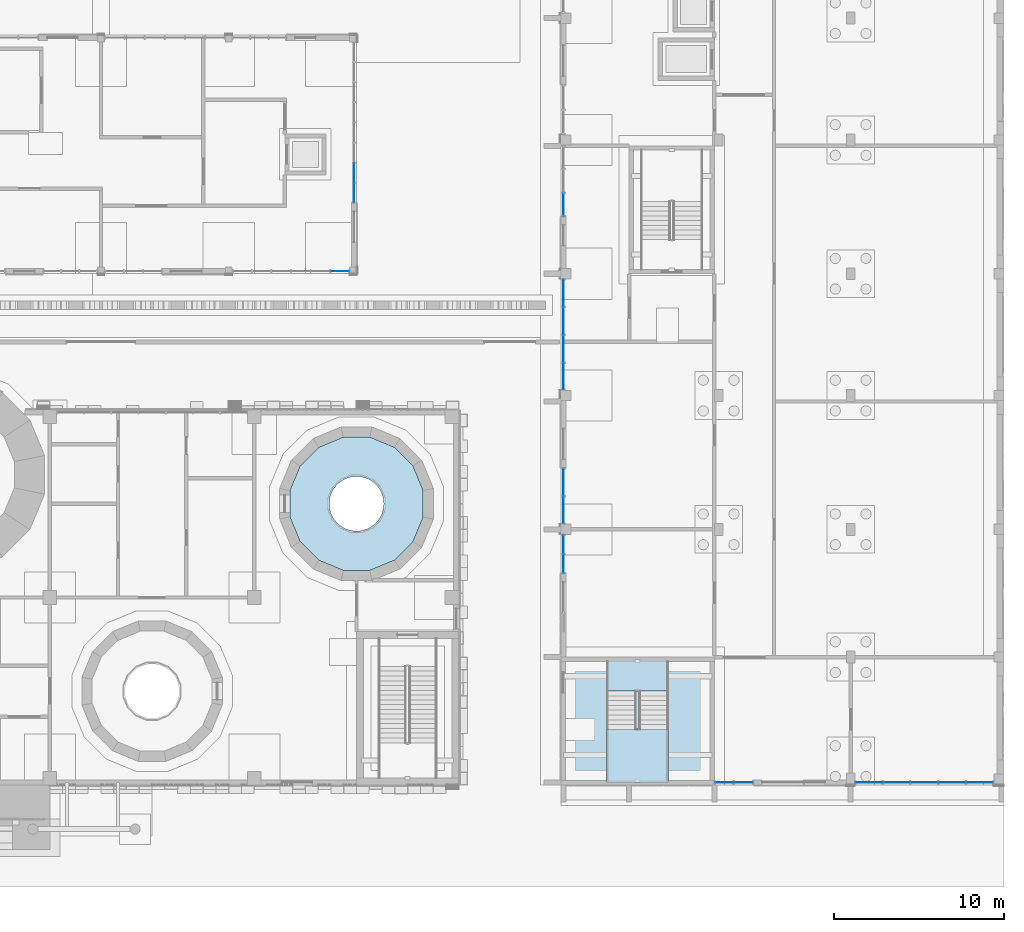
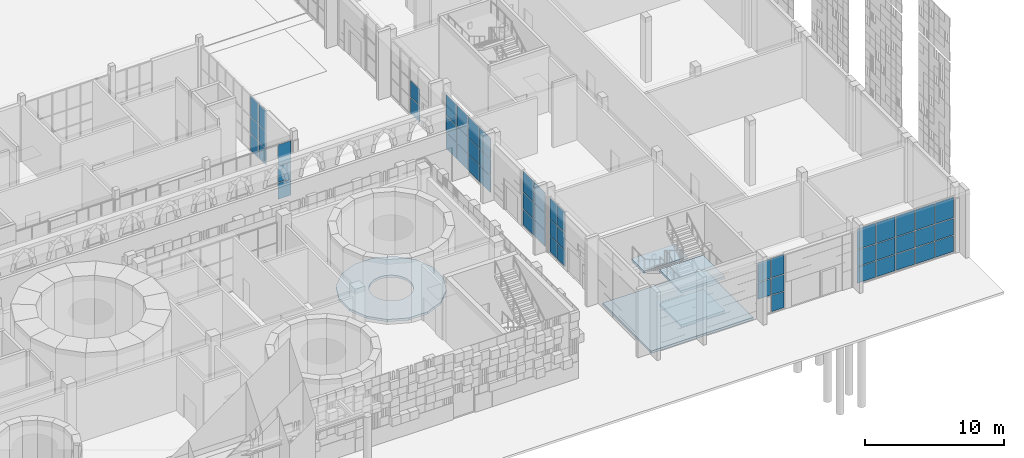
# One storey, part 43 of 125: 55 plates, 5 slabs, 9 elements without a shape of their own.
"""IFC4 building model written with IfcOpenShell, lengths in metres."""

from ifc_helpers import new_model, si_unit, direction, frame, origin, origin_2d, place, context, subcontext, project, spatial, polyline, rectangle, outline, extrude, material, layer, layer_set, type_object, element, aggregate, save


model = new_model("IFC4")

# Units and contexts
model_context = context("Model", 3, precision=1e-05, world=origin(), true_north=direction((0.0, 1.0)))
body_context = subcontext(model_context, "Body", "Model", "MODEL_VIEW")
ifc_project = project(units=[si_unit("LENGTHUNIT", "METRE"), si_unit("AREAUNIT", "SQUARE_METRE"), si_unit("VOLUMEUNIT", "CUBIC_METRE"), si_unit("PLANEANGLEUNIT", "RADIAN"), si_unit("MASSUNIT", "GRAM", prefix="KILO")], contexts=[model_context])

# Site, building, storey
site_placement = place(None, origin())
site = spatial("IfcSite", under=ifc_project, at=site_placement, CompositionType="ELEMENT")
building_placement = place(site_placement, origin())
building = spatial("IfcBuilding", under=site, at=building_placement, Name="Sun Court Science Centre", CompositionType="ELEMENT")
storey_placement = place(building_placement, origin())
storey = spatial("IfcBuildingStorey", under=building, at=storey_placement, Name="L00", CompositionType="ELEMENT", Elevation=0.0)

# Curtain wall, plates
ifc_material_1 = material(Name="Aluminium EN AW-6063 T6", Category="aluminium")
curtain_wall_type_1 = type_object("IfcCurtainWallType", Name="Pavilion curtain wall 1200", PredefinedType="NOTDEFINED", material=ifc_material_1)
curtain_wall_1_placement = place(storey_placement, origin())
curtain_wall_1 = element("IfcCurtainWall", 1, at=curtain_wall_1_placement, inside=storey, type_object=curtain_wall_type_1, Name="Curtain wall V5 S L00 01", PredefinedType="NOTDEFINED")
ifc_material_2 = material(Name="Toughened safety glass", Category="glass")
ifc_layer_1 = layer(ifc_material_2, 0.0107421875)
ifc_layer_set_1 = layer_set([ifc_layer_1], Name="Toughened safety glass")
plate_type_1 = type_object("IfcPlateType", Name="Pavilion toughened glazing panel 10.8", PredefinedType="CURTAIN_PANEL", material=ifc_layer_set_1)
plate_1_placement = place(storey_placement, frame((65.012451171875, 36.14990234375, 0.0498046875), z_axis=(0.0, 0.0, 1.0), x_axis=(-1.0, 0.0, 0.0)))
plate_1 = element("IfcPlate", 2, at=plate_1_placement, type_object=plate_type_1, Name="CW3-01 panel 1.1", PredefinedType="CURTAIN_PANEL", context=body_context, shape_type="SweptSolid", body=[
    extrude(rectangle(XDim=1.074951171875, YDim=0.0107421875, at=origin_2d()), origin(), (0.0, 0.0, 1.0), 1.425048828125),
])
plate_2_placement = place(storey_placement, frame((65.012451171875, 36.14990234375, 1.52490234375), z_axis=(0.0, 0.0, 1.0), x_axis=(-1.0, 0.0, 0.0)))
plate_2 = element("IfcPlate", 3, at=plate_2_placement, type_object=plate_type_1, Name="CW3-01 panel 1.2", PredefinedType="CURTAIN_PANEL", context=body_context, shape_type="SweptSolid", body=[
    extrude(rectangle(XDim=1.074951171875, YDim=0.0107421875, at=origin_2d()), origin(), (0.0, 0.0, 1.0), 1.449951171875),
])
plate_3_placement = place(storey_placement, frame((65.012451171875, 36.14990234375, 3.02490234375), z_axis=(0.0, 0.0, 1.0), x_axis=(-1.0, 0.0, 0.0)))
plate_3 = element("IfcPlate", 4, at=plate_3_placement, type_object=plate_type_1, Name="CW3-01 panel 1.3", PredefinedType="CURTAIN_PANEL", context=body_context, shape_type="SweptSolid", body=[
    extrude(rectangle(XDim=1.074951171875, YDim=0.0107421875, at=origin_2d()), origin(), (0.0, 0.0, 1.0), 1.824951171875),
])
aggregate(curtain_wall_1, [plate_1, plate_2, plate_3])

curtain_wall_2_placement = place(storey_placement, origin())
curtain_wall_2 = element("IfcCurtainWall", 5, at=curtain_wall_2_placement, inside=storey, type_object=curtain_wall_type_1, Name="Curtain wall V5 E L00 01", PredefinedType="NOTDEFINED")
plate_4_placement = place(storey_placement, frame((65.85009765625, 40.753173828125, 0.0498046875), z_axis=(0.0, 0.0, 1.0), x_axis=(0.0, -1.0, 0.0)))
plate_4 = element("IfcPlate", 6, at=plate_4_placement, type_object=plate_type_1, Name="CW3-20 panel 8.1", PredefinedType="CURTAIN_PANEL", context=body_context, shape_type="SweptSolid", body=[
    extrude(rectangle(XDim=1.106201171875, YDim=0.0107421875, at=origin_2d()), origin(), (0.0, 0.0, 1.0), 1.425048828125),
])
plate_5_placement = place(storey_placement, frame((65.85009765625, 41.921875, 0.0498046875), z_axis=(0.0, 0.0, 1.0), x_axis=(0.0, -1.0, 0.0)))
plate_5 = element("IfcPlate", 7, at=plate_5_placement, type_object=plate_type_1, Name="CW3-20 panel 7.1", PredefinedType="CURTAIN_PANEL", context=body_context, shape_type="SweptSolid", body=[
    extrude(rectangle(XDim=1.13134765625, YDim=0.0107421875, at=origin_2d()), origin(), (0.0, 0.0, 1.0), 1.425048828125),
])
plate_6_placement = place(storey_placement, frame((65.85009765625, 40.753173828125, 1.52490234375), z_axis=(0.0, 0.0, 1.0), x_axis=(0.0, -1.0, 0.0)))
plate_6 = element("IfcPlate", 8, at=plate_6_placement, type_object=plate_type_1, Name="CW3-20 panel 8.2", PredefinedType="CURTAIN_PANEL", context=body_context, shape_type="SweptSolid", body=[
    extrude(rectangle(XDim=1.106201171875, YDim=0.0107421875, at=origin_2d()), origin(), (0.0, 0.0, 1.0), 1.449951171875),
])
plate_7_placement = place(storey_placement, frame((65.85009765625, 41.921875, 1.52490234375), z_axis=(0.0, 0.0, 1.0), x_axis=(0.0, -1.0, 0.0)))
plate_7 = element("IfcPlate", 9, at=plate_7_placement, type_object=plate_type_1, Name="CW3-20 panel 7.2", PredefinedType="CURTAIN_PANEL", context=body_context, shape_type="SweptSolid", body=[
    extrude(rectangle(XDim=1.13134765625, YDim=0.0107421875, at=origin_2d()), origin(), (0.0, 0.0, 1.0), 1.449951171875),
])
plate_8_placement = place(storey_placement, frame((65.85009765625, 40.753173828125, 3.02490234375), z_axis=(0.0, 0.0, 1.0), x_axis=(0.0, -1.0, 0.0)))
plate_8 = element("IfcPlate", 10, at=plate_8_placement, type_object=plate_type_1, Name="CW3-20 panel 8.3", PredefinedType="CURTAIN_PANEL", context=body_context, shape_type="SweptSolid", body=[
    extrude(rectangle(XDim=1.106201171875, YDim=0.0107421875, at=origin_2d()), origin(), (0.0, 0.0, 1.0), 1.824951171875),
])
plate_9_placement = place(storey_placement, frame((65.85009765625, 41.921875, 3.02490234375), z_axis=(0.0, 0.0, 1.0), x_axis=(0.0, -1.0, 0.0)))
plate_9 = element("IfcPlate", 11, at=plate_9_placement, type_object=plate_type_1, Name="CW3-20 panel 7.3", PredefinedType="CURTAIN_PANEL", context=body_context, shape_type="SweptSolid", body=[
    extrude(rectangle(XDim=1.13134765625, YDim=0.0107421875, at=origin_2d()), origin(), (0.0, 0.0, 1.0), 1.824951171875),
])
aggregate(curtain_wall_2, [plate_4, plate_5, plate_6, plate_7, plate_8, plate_9])

# Slabs
ifc_material_3 = material(Name="Concrete C25/30", Category="concrete")
ifc_layer_2 = layer(ifc_material_3, 0.199951171875)
ifc_layer_set_2 = layer_set([ifc_layer_2], Name="Concrete C25/30")
slab_type_1 = type_object("IfcSlabType", Name="RC ground slab 200", PredefinedType="BASESLAB", material=ifc_layer_set_2)
slab_1_placement = place(storey_placement, frame((0.0, 0.0, -0.199951171875)))
element("IfcSlab", 12, at=slab_1_placement, inside=storey, type_object=slab_type_1, Name="Cone 6 ground slab", PredefinedType="BASESLAB", context=body_context, shape_type="SweptSolid", body=[
    extrude(outline(polyline([(69.91162109375, 21.721923828125), (69.91162109375, 23.278076171875), (69.316162109375, 24.7158203125), (68.2158203125, 25.816162109375), (66.778076171875, 26.41162109375), (65.221923828125, 26.41162109375), (63.7841796875, 25.816162109375), (62.683837890625, 24.7158203125), (62.08837890625, 23.278076171875), (62.08837890625, 21.721923828125), (62.683837890625, 20.2841796875), (63.7841796875, 19.183837890625), (65.221923828125, 18.58837890625), (66.778076171875, 18.58837890625), (68.2158203125, 19.183837890625), (69.316162109375, 20.2841796875), (69.91162109375, 21.721923828125)]), holes=[polyline([(67.58642578125, 22.708740234375), (67.60009765625, 22.5), (67.58642578125, 22.291259765625), (67.54541015625, 22.0859375), (67.478271484375, 21.8876953125), (67.3857421875, 21.699951171875), (67.269287109375, 21.52587890625), (67.13134765625, 21.36865234375), (66.97412109375, 21.230712890625), (66.800048828125, 21.1142578125), (66.6123046875, 21.021728515625), (66.4140625, 20.95458984375), (66.208740234375, 20.91357421875), (66.0, 20.89990234375), (65.791259765625, 20.91357421875), (65.5859375, 20.95458984375), (65.3876953125, 21.021728515625), (65.199951171875, 21.1142578125), (65.02587890625, 21.230712890625), (64.86865234375, 21.36865234375), (64.730712890625, 21.52587890625), (64.6142578125, 21.699951171875), (64.521728515625, 21.8876953125), (64.45458984375, 22.0859375), (64.41357421875, 22.291259765625), (64.39990234375, 22.5), (64.41357421875, 22.708740234375), (64.45458984375, 22.9140625), (64.521728515625, 23.1123046875), (64.6142578125, 23.300048828125), (64.730712890625, 23.47412109375), (64.86865234375, 23.63134765625), (65.02587890625, 23.769287109375), (65.199951171875, 23.8857421875), (65.3876953125, 23.978271484375), (65.5859375, 24.04541015625), (65.791259765625, 24.08642578125), (66.0, 24.10009765625), (66.208740234375, 24.08642578125), (66.4140625, 24.04541015625), (66.6123046875, 23.978271484375), (66.800048828125, 23.8857421875), (66.97412109375, 23.769287109375), (67.13134765625, 23.63134765625), (67.269287109375, 23.47412109375), (67.3857421875, 23.300048828125), (67.478271484375, 23.1123046875), (67.54541015625, 22.9140625), (67.58642578125, 22.708740234375)])]), origin(), (0.0, 0.0, 1.0), 0.199951171875),
])
slab_2_placement = place(storey_placement, frame((0.0, 0.0, -0.199951171875)))
element("IfcSlab", 13, at=slab_2_placement, inside=storey, type_object=slab_type_1, Name="Stair SL1 ground slab", PredefinedType="BASESLAB", context=body_context, shape_type="SweptSolid", body=[
    extrude(outline(polyline([(78.25, 6.25), (86.75, 6.25), (86.75, 13.25), (78.25, 13.25), (78.25, 6.25)])), origin(), (0.0, 0.0, 1.0), 0.199951171875),
])

# Curtain wall, plates
ifc_material_4 = material(Name="Aluminium EN AW-6063 T6", Category="aluminium")
curtain_wall_type_2 = type_object("IfcCurtainWallType", Name="Laboratory tall bay curtain wall 1500", PredefinedType="NOTDEFINED", material=ifc_material_4)
curtain_wall_3_placement = place(storey_placement, origin())
curtain_wall_3 = element("IfcCurtainWall", 14, at=curtain_wall_3_placement, inside=storey, type_object=curtain_wall_type_2, Name="Curtain wall V4 W L00 01", PredefinedType="NOTDEFINED")
ifc_material_5 = material(Name="Solar-control glass", Category="glass")
ifc_layer_3 = layer(ifc_material_5, 0.028076171875)
ifc_layer_set_3 = layer_set([ifc_layer_3], Name="Solar-control glass")
plate_type_2 = type_object("IfcPlateType", Name="Solar-control glazing panel 8-12-8", PredefinedType="CURTAIN_PANEL", material=ifc_layer_set_3)
plate_10_placement = place(storey_placement, frame((78.14990234375, 18.989990234375, 0.06005859375), z_axis=(0.0, 0.0, 1.0), x_axis=(0.0, 1.0, 0.0)))
plate_10 = element("IfcPlate", 15, at=plate_10_placement, type_object=plate_type_2, Name="CW2-01 panel 1.1", PredefinedType="CURTAIN_PANEL", context=body_context, shape_type="SweptSolid", body=[
    extrude(rectangle(XDim=1.06005859375, YDim=0.028076171875, at=origin_2d()), origin(), (0.0, 0.0, 1.0), 1.409912109375),
])
plate_11_placement = place(storey_placement, frame((78.14990234375, 20.110107421875, 0.06005859375), z_axis=(0.0, 0.0, 1.0), x_axis=(0.0, 1.0, 0.0)))
plate_11 = element("IfcPlate", 16, at=plate_11_placement, type_object=plate_type_2, Name="CW2-01 panel 2.1", PredefinedType="CURTAIN_PANEL", context=body_context, shape_type="SweptSolid", body=[
    extrude(rectangle(XDim=1.06005859375, YDim=0.028076171875, at=origin_2d()), origin(), (0.0, 0.0, 1.0), 1.409912109375),
])
plate_12_placement = place(storey_placement, frame((78.14990234375, 18.989990234375, 1.530029296875), z_axis=(0.0, 0.0, 1.0), x_axis=(0.0, 1.0, 0.0)))
plate_12 = element("IfcPlate", 17, at=plate_12_placement, type_object=plate_type_2, Name="CW2-01 panel 1.2", PredefinedType="CURTAIN_PANEL", context=body_context, shape_type="SweptSolid", body=[
    extrude(rectangle(XDim=1.06005859375, YDim=0.028076171875, at=origin_2d()), origin(), (0.0, 0.0, 1.0), 1.43994140625),
])
plate_13_placement = place(storey_placement, frame((78.14990234375, 20.110107421875, 1.530029296875), z_axis=(0.0, 0.0, 1.0), x_axis=(0.0, 1.0, 0.0)))
plate_13 = element("IfcPlate", 18, at=plate_13_placement, type_object=plate_type_2, Name="CW2-01 panel 2.2", PredefinedType="CURTAIN_PANEL", context=body_context, shape_type="SweptSolid", body=[
    extrude(rectangle(XDim=1.06005859375, YDim=0.028076171875, at=origin_2d()), origin(), (0.0, 0.0, 1.0), 1.43994140625),
])
plate_14_placement = place(storey_placement, frame((78.14990234375, 18.989990234375, 3.030029296875), z_axis=(0.0, 0.0, 1.0), x_axis=(0.0, 1.0, 0.0)))
plate_14 = element("IfcPlate", 19, at=plate_14_placement, type_object=plate_type_2, Name="CW2-01 panel 1.3", PredefinedType="CURTAIN_PANEL", context=body_context, shape_type="SweptSolid", body=[
    extrude(rectangle(XDim=1.06005859375, YDim=0.028076171875, at=origin_2d()), origin(), (0.0, 0.0, 1.0), 1.81005859375),
])
plate_15_placement = place(storey_placement, frame((78.14990234375, 20.110107421875, 3.030029296875), z_axis=(0.0, 0.0, 1.0), x_axis=(0.0, 1.0, 0.0)))
plate_15 = element("IfcPlate", 20, at=plate_15_placement, type_object=plate_type_2, Name="CW2-01 panel 2.3", PredefinedType="CURTAIN_PANEL", context=body_context, shape_type="SweptSolid", body=[
    extrude(rectangle(XDim=1.06005859375, YDim=0.028076171875, at=origin_2d()), origin(), (0.0, 0.0, 1.0), 1.81005859375),
])
aggregate(curtain_wall_3, [plate_10, plate_11, plate_12, plate_13, plate_14, plate_15])

curtain_wall_4_placement = place(storey_placement, origin())
curtain_wall_4 = element("IfcCurtainWall", 21, at=curtain_wall_4_placement, inside=storey, type_object=curtain_wall_type_2, Name="Curtain wall V4 W L00 02", PredefinedType="NOTDEFINED")
plate_16_placement = place(storey_placement, frame((78.14990234375, 22.139892578125, 0.06005859375), z_axis=(0.0, 0.0, 1.0), x_axis=(0.0, 1.0, 0.0)))
plate_16 = element("IfcPlate", 22, at=plate_16_placement, type_object=plate_type_2, Name="CW2-02 panel 1.1", PredefinedType="CURTAIN_PANEL", context=body_context, shape_type="SweptSolid", body=[
    extrude(rectangle(XDim=1.56005859375, YDim=0.028076171875, at=origin_2d()), origin(), (0.0, 0.0, 1.0), 1.409912109375),
])
plate_17_placement = place(storey_placement, frame((78.14990234375, 23.760009765625, 0.06005859375), z_axis=(0.0, 0.0, 1.0), x_axis=(0.0, 1.0, 0.0)))
plate_17 = element("IfcPlate", 23, at=plate_17_placement, type_object=plate_type_2, Name="CW2-02 panel 2.1", PredefinedType="CURTAIN_PANEL", context=body_context, shape_type="SweptSolid", body=[
    extrude(rectangle(XDim=1.56005859375, YDim=0.028076171875, at=origin_2d()), origin(), (0.0, 0.0, 1.0), 1.409912109375),
])
plate_18_placement = place(storey_placement, frame((78.14990234375, 22.139892578125, 1.530029296875), z_axis=(0.0, 0.0, 1.0), x_axis=(0.0, 1.0, 0.0)))
plate_18 = element("IfcPlate", 24, at=plate_18_placement, type_object=plate_type_2, Name="CW2-02 panel 1.2", PredefinedType="CURTAIN_PANEL", context=body_context, shape_type="SweptSolid", body=[
    extrude(rectangle(XDim=1.56005859375, YDim=0.028076171875, at=origin_2d()), origin(), (0.0, 0.0, 1.0), 1.43994140625),
])
plate_19_placement = place(storey_placement, frame((78.14990234375, 23.760009765625, 1.530029296875), z_axis=(0.0, 0.0, 1.0), x_axis=(0.0, 1.0, 0.0)))
plate_19 = element("IfcPlate", 25, at=plate_19_placement, type_object=plate_type_2, Name="CW2-02 panel 2.2", PredefinedType="CURTAIN_PANEL", context=body_context, shape_type="SweptSolid", body=[
    extrude(rectangle(XDim=1.56005859375, YDim=0.028076171875, at=origin_2d()), origin(), (0.0, 0.0, 1.0), 1.43994140625),
])
plate_20_placement = place(storey_placement, frame((78.14990234375, 22.139892578125, 3.030029296875), z_axis=(0.0, 0.0, 1.0), x_axis=(0.0, 1.0, 0.0)))
plate_20 = element("IfcPlate", 26, at=plate_20_placement, type_object=plate_type_2, Name="CW2-02 panel 1.3", PredefinedType="CURTAIN_PANEL", context=body_context, shape_type="SweptSolid", body=[
    extrude(rectangle(XDim=1.56005859375, YDim=0.028076171875, at=origin_2d()), origin(), (0.0, 0.0, 1.0), 1.81005859375),
])
plate_21_placement = place(storey_placement, frame((78.14990234375, 23.760009765625, 3.030029296875), z_axis=(0.0, 0.0, 1.0), x_axis=(0.0, 1.0, 0.0)))
plate_21 = element("IfcPlate", 27, at=plate_21_placement, type_object=plate_type_2, Name="CW2-02 panel 2.3", PredefinedType="CURTAIN_PANEL", context=body_context, shape_type="SweptSolid", body=[
    extrude(rectangle(XDim=1.56005859375, YDim=0.028076171875, at=origin_2d()), origin(), (0.0, 0.0, 1.0), 1.81005859375),
])
aggregate(curtain_wall_4, [plate_16, plate_17, plate_18, plate_19, plate_20, plate_21])

curtain_wall_5_placement = place(storey_placement, origin())
curtain_wall_5 = element("IfcCurtainWall", 28, at=curtain_wall_5_placement, inside=storey, type_object=curtain_wall_type_2, Name="Curtain wall V4 W L00 03", PredefinedType="NOTDEFINED")
plate_22_placement = place(storey_placement, frame((78.14990234375, 29.983642578125, 0.06005859375), z_axis=(0.0, 0.0, 1.0), x_axis=(0.0, 1.0, 0.0)))
plate_22 = element("IfcPlate", 29, at=plate_22_placement, type_object=plate_type_2, Name="CW2-03 panel 1.1", PredefinedType="CURTAIN_PANEL", context=body_context, shape_type="SweptSolid", body=[
    extrude(rectangle(XDim=1.547607421875, YDim=0.028076171875, at=origin_2d()), origin(), (0.0, 0.0, 1.0), 1.409912109375),
])
plate_23_placement = place(storey_placement, frame((78.14990234375, 31.606201171875, 0.06005859375), z_axis=(0.0, 0.0, 1.0), x_axis=(0.0, 1.0, 0.0)))
plate_23 = element("IfcPlate", 30, at=plate_23_placement, type_object=plate_type_2, Name="CW2-03 panel 2.1", PredefinedType="CURTAIN_PANEL", context=body_context, shape_type="SweptSolid", body=[
    extrude(rectangle(XDim=1.577392578125, YDim=0.028076171875, at=origin_2d()), origin(), (0.0, 0.0, 1.0), 1.409912109375),
])
plate_24_placement = place(storey_placement, frame((78.14990234375, 33.24365234375, 0.06005859375), z_axis=(0.0, 0.0, 1.0), x_axis=(0.0, 1.0, 0.0)))
plate_24 = element("IfcPlate", 31, at=plate_24_placement, type_object=plate_type_2, Name="CW2-03 panel 3.1", PredefinedType="CURTAIN_PANEL", context=body_context, shape_type="SweptSolid", body=[
    extrude(rectangle(XDim=1.577392578125, YDim=0.028076171875, at=origin_2d()), origin(), (0.0, 0.0, 1.0), 1.409912109375),
])
plate_25_placement = place(storey_placement, frame((78.14990234375, 34.8662109375, 0.06005859375), z_axis=(0.0, 0.0, 1.0), x_axis=(0.0, 1.0, 0.0)))
plate_25 = element("IfcPlate", 32, at=plate_25_placement, type_object=plate_type_2, Name="CW2-03 panel 4.1", PredefinedType="CURTAIN_PANEL", context=body_context, shape_type="SweptSolid", body=[
    extrude(rectangle(XDim=1.547607421875, YDim=0.028076171875, at=origin_2d()), origin(), (0.0, 0.0, 1.0), 1.409912109375),
])
plate_26_placement = place(storey_placement, frame((78.14990234375, 29.983642578125, 1.530029296875), z_axis=(0.0, 0.0, 1.0), x_axis=(0.0, 1.0, 0.0)))
plate_26 = element("IfcPlate", 33, at=plate_26_placement, type_object=plate_type_2, Name="CW2-03 panel 1.2", PredefinedType="CURTAIN_PANEL", context=body_context, shape_type="SweptSolid", body=[
    extrude(rectangle(XDim=1.547607421875, YDim=0.028076171875, at=origin_2d()), origin(), (0.0, 0.0, 1.0), 1.43994140625),
])
plate_27_placement = place(storey_placement, frame((78.14990234375, 31.606201171875, 1.530029296875), z_axis=(0.0, 0.0, 1.0), x_axis=(0.0, 1.0, 0.0)))
plate_27 = element("IfcPlate", 34, at=plate_27_placement, type_object=plate_type_2, Name="CW2-03 panel 2.2", PredefinedType="CURTAIN_PANEL", context=body_context, shape_type="SweptSolid", body=[
    extrude(rectangle(XDim=1.577392578125, YDim=0.028076171875, at=origin_2d()), origin(), (0.0, 0.0, 1.0), 1.43994140625),
])
plate_28_placement = place(storey_placement, frame((78.14990234375, 33.24365234375, 1.530029296875), z_axis=(0.0, 0.0, 1.0), x_axis=(0.0, 1.0, 0.0)))
plate_28 = element("IfcPlate", 35, at=plate_28_placement, type_object=plate_type_2, Name="CW2-03 panel 3.2", PredefinedType="CURTAIN_PANEL", context=body_context, shape_type="SweptSolid", body=[
    extrude(rectangle(XDim=1.577392578125, YDim=0.028076171875, at=origin_2d()), origin(), (0.0, 0.0, 1.0), 1.43994140625),
])
plate_29_placement = place(storey_placement, frame((78.14990234375, 34.8662109375, 1.530029296875), z_axis=(0.0, 0.0, 1.0), x_axis=(0.0, 1.0, 0.0)))
plate_29 = element("IfcPlate", 36, at=plate_29_placement, type_object=plate_type_2, Name="CW2-03 panel 4.2", PredefinedType="CURTAIN_PANEL", context=body_context, shape_type="SweptSolid", body=[
    extrude(rectangle(XDim=1.547607421875, YDim=0.028076171875, at=origin_2d()), origin(), (0.0, 0.0, 1.0), 1.43994140625),
])
plate_30_placement = place(storey_placement, frame((78.14990234375, 29.983642578125, 3.030029296875), z_axis=(0.0, 0.0, 1.0), x_axis=(0.0, 1.0, 0.0)))
plate_30 = element("IfcPlate", 37, at=plate_30_placement, type_object=plate_type_2, Name="CW2-03 panel 1.3", PredefinedType="CURTAIN_PANEL", context=body_context, shape_type="SweptSolid", body=[
    extrude(rectangle(XDim=1.547607421875, YDim=0.028076171875, at=origin_2d()), origin(), (0.0, 0.0, 1.0), 1.81005859375),
])
plate_31_placement = place(storey_placement, frame((78.14990234375, 31.606201171875, 3.030029296875), z_axis=(0.0, 0.0, 1.0), x_axis=(0.0, 1.0, 0.0)))
plate_31 = element("IfcPlate", 38, at=plate_31_placement, type_object=plate_type_2, Name="CW2-03 panel 2.3", PredefinedType="CURTAIN_PANEL", context=body_context, shape_type="SweptSolid", body=[
    extrude(rectangle(XDim=1.577392578125, YDim=0.028076171875, at=origin_2d()), origin(), (0.0, 0.0, 1.0), 1.81005859375),
])
plate_32_placement = place(storey_placement, frame((78.14990234375, 33.24365234375, 3.030029296875), z_axis=(0.0, 0.0, 1.0), x_axis=(0.0, 1.0, 0.0)))
plate_32 = element("IfcPlate", 39, at=plate_32_placement, type_object=plate_type_2, Name="CW2-03 panel 3.3", PredefinedType="CURTAIN_PANEL", context=body_context, shape_type="SweptSolid", body=[
    extrude(rectangle(XDim=1.577392578125, YDim=0.028076171875, at=origin_2d()), origin(), (0.0, 0.0, 1.0), 1.81005859375),
])
plate_33_placement = place(storey_placement, frame((78.14990234375, 34.8662109375, 3.030029296875), z_axis=(0.0, 0.0, 1.0), x_axis=(0.0, 1.0, 0.0)))
plate_33 = element("IfcPlate", 40, at=plate_33_placement, type_object=plate_type_2, Name="CW2-03 panel 4.3", PredefinedType="CURTAIN_PANEL", context=body_context, shape_type="SweptSolid", body=[
    extrude(rectangle(XDim=1.547607421875, YDim=0.028076171875, at=origin_2d()), origin(), (0.0, 0.0, 1.0), 1.81005859375),
])
aggregate(curtain_wall_5, [plate_22, plate_23, plate_24, plate_25, plate_26, plate_27, plate_28, plate_29, plate_30, plate_31, plate_32, plate_33])

curtain_wall_6_placement = place(storey_placement, origin())
curtain_wall_6 = element("IfcCurtainWall", 41, at=curtain_wall_6_placement, inside=storey, type_object=curtain_wall_type_2, Name="Curtain wall V4 W L00 04", PredefinedType="NOTDEFINED")
plate_34_placement = place(storey_placement, frame((78.14990234375, 40.06494140625, 0.06005859375), z_axis=(0.0, 0.0, 1.0), x_axis=(0.0, 1.0, 0.0)))
plate_34 = element("IfcPlate", 42, at=plate_34_placement, type_object=plate_type_2, Name="CW2-04 panel 1.1", PredefinedType="CURTAIN_PANEL", context=body_context, shape_type="SweptSolid", body=[
    extrude(rectangle(XDim=1.31005859375, YDim=0.028076171875, at=origin_2d()), origin(), (0.0, 0.0, 1.0), 1.409912109375),
])
plate_35_placement = place(storey_placement, frame((78.14990234375, 40.06494140625, 1.530029296875), z_axis=(0.0, 0.0, 1.0), x_axis=(0.0, 1.0, 0.0)))
plate_35 = element("IfcPlate", 43, at=plate_35_placement, type_object=plate_type_2, Name="CW2-04 panel 1.2", PredefinedType="CURTAIN_PANEL", context=body_context, shape_type="SweptSolid", body=[
    extrude(rectangle(XDim=1.31005859375, YDim=0.028076171875, at=origin_2d()), origin(), (0.0, 0.0, 1.0), 1.43994140625),
])
aggregate(curtain_wall_6, [plate_34, plate_35])

curtain_wall_7_placement = place(storey_placement, origin())
curtain_wall_7 = element("IfcCurtainWall", 44, at=curtain_wall_7_placement, inside=storey, type_object=curtain_wall_type_2, Name="Curtain wall V4 S L00 01", PredefinedType="NOTDEFINED")
plate_36_placement = place(storey_placement, frame((96.080078125, 6.14990234375, 0.06005859375), z_axis=(0.0, 0.0, 1.0), x_axis=(-1.0, 0.0, 0.0)))
plate_36 = element("IfcPlate", 45, at=plate_36_placement, type_object=plate_type_2, Name="CW2-47 panel 5.1", PredefinedType="CURTAIN_PANEL", context=body_context, shape_type="SweptSolid", body=[
    extrude(rectangle(XDim=1.5400390625, YDim=0.028076171875, at=origin_2d()), origin(), (0.0, 0.0, 1.0), 1.409912109375),
])
plate_37_placement = place(storey_placement, frame((97.695068359375, 6.14990234375, 0.06005859375), z_axis=(0.0, 0.0, 1.0), x_axis=(-1.0, 0.0, 0.0)))
plate_37 = element("IfcPlate", 46, at=plate_37_placement, type_object=plate_type_2, Name="CW2-47 panel 4.1", PredefinedType="CURTAIN_PANEL", context=body_context, shape_type="SweptSolid", body=[
    extrude(rectangle(XDim=1.570068359375, YDim=0.028076171875, at=origin_2d()), origin(), (0.0, 0.0, 1.0), 1.409912109375),
])
plate_38_placement = place(storey_placement, frame((99.324951171875, 6.14990234375, 0.06005859375), z_axis=(0.0, 0.0, 1.0), x_axis=(-1.0, 0.0, 0.0)))
plate_38 = element("IfcPlate", 47, at=plate_38_placement, type_object=plate_type_2, Name="CW2-47 panel 3.1", PredefinedType="CURTAIN_PANEL", context=body_context, shape_type="SweptSolid", body=[
    extrude(rectangle(XDim=1.570068359375, YDim=0.028076171875, at=origin_2d()), origin(), (0.0, 0.0, 1.0), 1.409912109375),
])
plate_39_placement = place(storey_placement, frame((100.955078125, 6.14990234375, 0.06005859375), z_axis=(0.0, 0.0, 1.0), x_axis=(-1.0, 0.0, 0.0)))
plate_39 = element("IfcPlate", 48, at=plate_39_placement, type_object=plate_type_2, Name="CW2-47 panel 2.1", PredefinedType="CURTAIN_PANEL", context=body_context, shape_type="SweptSolid", body=[
    extrude(rectangle(XDim=1.570068359375, YDim=0.028076171875, at=origin_2d()), origin(), (0.0, 0.0, 1.0), 1.409912109375),
])
plate_40_placement = place(storey_placement, frame((102.570068359375, 6.14990234375, 0.06005859375), z_axis=(0.0, 0.0, 1.0), x_axis=(-1.0, 0.0, 0.0)))
plate_40 = element("IfcPlate", 49, at=plate_40_placement, type_object=plate_type_2, Name="CW2-47 panel 1.1", PredefinedType="CURTAIN_PANEL", context=body_context, shape_type="SweptSolid", body=[
    extrude(rectangle(XDim=1.5400390625, YDim=0.028076171875, at=origin_2d()), origin(), (0.0, 0.0, 1.0), 1.409912109375),
])
plate_41_placement = place(storey_placement, frame((96.080078125, 6.14990234375, 1.530029296875), z_axis=(0.0, 0.0, 1.0), x_axis=(-1.0, 0.0, 0.0)))
plate_41 = element("IfcPlate", 50, at=plate_41_placement, type_object=plate_type_2, Name="CW2-47 panel 5.2", PredefinedType="CURTAIN_PANEL", context=body_context, shape_type="SweptSolid", body=[
    extrude(rectangle(XDim=1.5400390625, YDim=0.028076171875, at=origin_2d()), origin(), (0.0, 0.0, 1.0), 1.43994140625),
])
plate_42_placement = place(storey_placement, frame((97.695068359375, 6.14990234375, 1.530029296875), z_axis=(0.0, 0.0, 1.0), x_axis=(-1.0, 0.0, 0.0)))
plate_42 = element("IfcPlate", 51, at=plate_42_placement, type_object=plate_type_2, Name="CW2-47 panel 4.2", PredefinedType="CURTAIN_PANEL", context=body_context, shape_type="SweptSolid", body=[
    extrude(rectangle(XDim=1.570068359375, YDim=0.028076171875, at=origin_2d()), origin(), (0.0, 0.0, 1.0), 1.43994140625),
])
plate_43_placement = place(storey_placement, frame((99.324951171875, 6.14990234375, 1.530029296875), z_axis=(0.0, 0.0, 1.0), x_axis=(-1.0, 0.0, 0.0)))
plate_43 = element("IfcPlate", 52, at=plate_43_placement, type_object=plate_type_2, Name="CW2-47 panel 3.2", PredefinedType="CURTAIN_PANEL", context=body_context, shape_type="SweptSolid", body=[
    extrude(rectangle(XDim=1.570068359375, YDim=0.028076171875, at=origin_2d()), origin(), (0.0, 0.0, 1.0), 1.43994140625),
])
plate_44_placement = place(storey_placement, frame((100.955078125, 6.14990234375, 1.530029296875), z_axis=(0.0, 0.0, 1.0), x_axis=(-1.0, 0.0, 0.0)))
plate_44 = element("IfcPlate", 53, at=plate_44_placement, type_object=plate_type_2, Name="CW2-47 panel 2.2", PredefinedType="CURTAIN_PANEL", context=body_context, shape_type="SweptSolid", body=[
    extrude(rectangle(XDim=1.570068359375, YDim=0.028076171875, at=origin_2d()), origin(), (0.0, 0.0, 1.0), 1.43994140625),
])
plate_45_placement = place(storey_placement, frame((102.570068359375, 6.14990234375, 1.530029296875), z_axis=(0.0, 0.0, 1.0), x_axis=(-1.0, 0.0, 0.0)))
plate_45 = element("IfcPlate", 54, at=plate_45_placement, type_object=plate_type_2, Name="CW2-47 panel 1.2", PredefinedType="CURTAIN_PANEL", context=body_context, shape_type="SweptSolid", body=[
    extrude(rectangle(XDim=1.5400390625, YDim=0.028076171875, at=origin_2d()), origin(), (0.0, 0.0, 1.0), 1.43994140625),
])
plate_46_placement = place(storey_placement, frame((96.080078125, 6.14990234375, 3.030029296875), z_axis=(0.0, 0.0, 1.0), x_axis=(-1.0, 0.0, 0.0)))
plate_46 = element("IfcPlate", 55, at=plate_46_placement, type_object=plate_type_2, Name="CW2-47 panel 5.3", PredefinedType="CURTAIN_PANEL", context=body_context, shape_type="SweptSolid", body=[
    extrude(rectangle(XDim=1.5400390625, YDim=0.028076171875, at=origin_2d()), origin(), (0.0, 0.0, 1.0), 1.81005859375),
])
plate_47_placement = place(storey_placement, frame((97.695068359375, 6.14990234375, 3.030029296875), z_axis=(0.0, 0.0, 1.0), x_axis=(-1.0, 0.0, 0.0)))
plate_47 = element("IfcPlate", 56, at=plate_47_placement, type_object=plate_type_2, Name="CW2-47 panel 4.3", PredefinedType="CURTAIN_PANEL", context=body_context, shape_type="SweptSolid", body=[
    extrude(rectangle(XDim=1.570068359375, YDim=0.028076171875, at=origin_2d()), origin(), (0.0, 0.0, 1.0), 1.81005859375),
])
plate_48_placement = place(storey_placement, frame((99.324951171875, 6.14990234375, 3.030029296875), z_axis=(0.0, 0.0, 1.0), x_axis=(-1.0, 0.0, 0.0)))
plate_48 = element("IfcPlate", 57, at=plate_48_placement, type_object=plate_type_2, Name="CW2-47 panel 3.3", PredefinedType="CURTAIN_PANEL", context=body_context, shape_type="SweptSolid", body=[
    extrude(rectangle(XDim=1.570068359375, YDim=0.028076171875, at=origin_2d()), origin(), (0.0, 0.0, 1.0), 1.81005859375),
])
plate_49_placement = place(storey_placement, frame((100.955078125, 6.14990234375, 3.030029296875), z_axis=(0.0, 0.0, 1.0), x_axis=(-1.0, 0.0, 0.0)))
plate_49 = element("IfcPlate", 58, at=plate_49_placement, type_object=plate_type_2, Name="CW2-47 panel 2.3", PredefinedType="CURTAIN_PANEL", context=body_context, shape_type="SweptSolid", body=[
    extrude(rectangle(XDim=1.570068359375, YDim=0.028076171875, at=origin_2d()), origin(), (0.0, 0.0, 1.0), 1.81005859375),
])
plate_50_placement = place(storey_placement, frame((102.570068359375, 6.14990234375, 3.030029296875), z_axis=(0.0, 0.0, 1.0), x_axis=(-1.0, 0.0, 0.0)))
plate_50 = element("IfcPlate", 59, at=plate_50_placement, type_object=plate_type_2, Name="CW2-47 panel 1.3", PredefinedType="CURTAIN_PANEL", context=body_context, shape_type="SweptSolid", body=[
    extrude(rectangle(XDim=1.5400390625, YDim=0.028076171875, at=origin_2d()), origin(), (0.0, 0.0, 1.0), 1.81005859375),
])
aggregate(curtain_wall_7, [plate_36, plate_37, plate_38, plate_39, plate_40, plate_41, plate_42, plate_43, plate_44, plate_45, plate_46, plate_47, plate_48, plate_49, plate_50])

curtain_wall_8_placement = place(storey_placement, origin())
curtain_wall_8 = element("IfcCurtainWall", 60, at=curtain_wall_8_placement, inside=storey, type_object=curtain_wall_type_2, Name="Curtain wall V4 S L00 02", PredefinedType="NOTDEFINED")
plate_51_placement = place(storey_placement, frame((88.7099609375, 6.14990234375, 0.06005859375), z_axis=(0.0, 0.0, 1.0), x_axis=(-1.0, 0.0, 0.0)))
plate_51 = element("IfcPlate", 61, at=plate_51_placement, type_object=plate_type_2, Name="CW2-48 panel 1.1", PredefinedType="CURTAIN_PANEL", context=body_context, shape_type="SweptSolid", body=[
    extrude(rectangle(XDim=1.06005859375, YDim=0.028076171875, at=origin_2d()), origin(), (0.0, 0.0, 1.0), 1.409912109375),
])
plate_52_placement = place(storey_placement, frame((87.590087890625, 6.14990234375, 1.530029296875), z_axis=(0.0, 0.0, 1.0), x_axis=(-1.0, 0.0, 0.0)))
plate_52 = element("IfcPlate", 62, at=plate_52_placement, type_object=plate_type_2, Name="CW2-48 panel 2.2", PredefinedType="CURTAIN_PANEL", context=body_context, shape_type="SweptSolid", body=[
    extrude(rectangle(XDim=1.06005859375, YDim=0.028076171875, at=origin_2d()), origin(), (0.0, 0.0, 1.0), 1.43994140625),
])
plate_53_placement = place(storey_placement, frame((88.7099609375, 6.14990234375, 1.530029296875), z_axis=(0.0, 0.0, 1.0), x_axis=(-1.0, 0.0, 0.0)))
plate_53 = element("IfcPlate", 63, at=plate_53_placement, type_object=plate_type_2, Name="CW2-48 panel 1.2", PredefinedType="CURTAIN_PANEL", context=body_context, shape_type="SweptSolid", body=[
    extrude(rectangle(XDim=1.06005859375, YDim=0.028076171875, at=origin_2d()), origin(), (0.0, 0.0, 1.0), 1.43994140625),
])
plate_54_placement = place(storey_placement, frame((87.590087890625, 6.14990234375, 3.030029296875), z_axis=(0.0, 0.0, 1.0), x_axis=(-1.0, 0.0, 0.0)))
plate_54 = element("IfcPlate", 64, at=plate_54_placement, type_object=plate_type_2, Name="CW2-48 panel 2.3", PredefinedType="CURTAIN_PANEL", context=body_context, shape_type="SweptSolid", body=[
    extrude(rectangle(XDim=1.06005859375, YDim=0.028076171875, at=origin_2d()), origin(), (0.0, 0.0, 1.0), 1.7099609375),
])
plate_55_placement = place(storey_placement, frame((88.7099609375, 6.14990234375, 3.030029296875), z_axis=(0.0, 0.0, 1.0), x_axis=(-1.0, 0.0, 0.0)))
plate_55 = element("IfcPlate", 65, at=plate_55_placement, type_object=plate_type_2, Name="CW2-48 panel 1.3", PredefinedType="CURTAIN_PANEL", context=body_context, shape_type="SweptSolid", body=[
    extrude(rectangle(XDim=1.06005859375, YDim=0.028076171875, at=origin_2d()), origin(), (0.0, 0.0, 1.0), 1.7099609375),
])
aggregate(curtain_wall_8, [plate_51, plate_52, plate_53, plate_54, plate_55])

# Stair, slabs
ifc_material_6 = material(Name="Concrete C25/30", Category="concrete")
stair_type = type_object("IfcStairType", Name="Stair 1500 enclosed half-turn", PredefinedType="HALF_TURN_STAIR", material=ifc_material_6)
stair_placement = place(storey_placement, origin())
stair = element("IfcStair", 66, at=stair_placement, inside=storey, type_object=stair_type, Name="L00 Stair SL1", PredefinedType="HALF_TURN_STAIR")
ifc_material_7 = material(Name="Concrete C25/30", Category="concrete")
ifc_layer_4 = layer(ifc_material_7, 0.199951171875)
ifc_layer_set_4 = layer_set([ifc_layer_4], Name="Concrete C25/30")
slab_type_2 = type_object("IfcSlabType", Name="Stair landing 200", PredefinedType="LANDING", material=ifc_layer_set_4)
slab_3_placement = place(storey_placement, frame((0.0, 0.0, 1.300048828125)))
slab_3 = element("IfcSlab", 67, at=slab_3_placement, type_object=slab_type_2, Name="SL1 landing 1", PredefinedType="LANDING", context=body_context, shape_type="SweptSolid", body=[
    extrude(outline(polyline([(80.677001953125, 9.26611328125), (80.677001953125, 6.14990234375), (84.322998046875, 6.14990234375), (84.322998046875, 9.26611328125), (80.677001953125, 9.26611328125)])), origin(), (0.0, 0.0, 1.0), 0.199951171875),
])
slab_4_placement = place(storey_placement, frame((0.0, 0.0, 2.800048828125)))
slab_4 = element("IfcSlab", 68, at=slab_4_placement, type_object=slab_type_2, Name="SL1 landing 2", PredefinedType="LANDING", context=body_context, shape_type="SweptSolid", body=[
    extrude(outline(polyline([(80.677001953125, 13.35009765625), (80.677001953125, 11.498046875), (84.322998046875, 11.498046875), (84.322998046875, 13.35009765625), (80.677001953125, 13.35009765625)])), origin(), (0.0, 0.0, 1.0), 0.199951171875),
])
slab_5_placement = place(storey_placement, frame((0.0, 0.0, 4.300048828125)))
slab_5 = element("IfcSlab", 69, at=slab_5_placement, type_object=slab_type_2, Name="SL1 landing 3", PredefinedType="LANDING", context=body_context, shape_type="SweptSolid", body=[
    extrude(outline(polyline([(80.677001953125, 9.26611328125), (80.677001953125, 6.14990234375), (84.322998046875, 6.14990234375), (84.322998046875, 9.26611328125), (80.677001953125, 9.26611328125)])), origin(), (0.0, 0.0, 1.0), 0.199951171875),
])
aggregate(stair, [slab_3, slab_4, slab_5])

save(model, "model.ifc")
